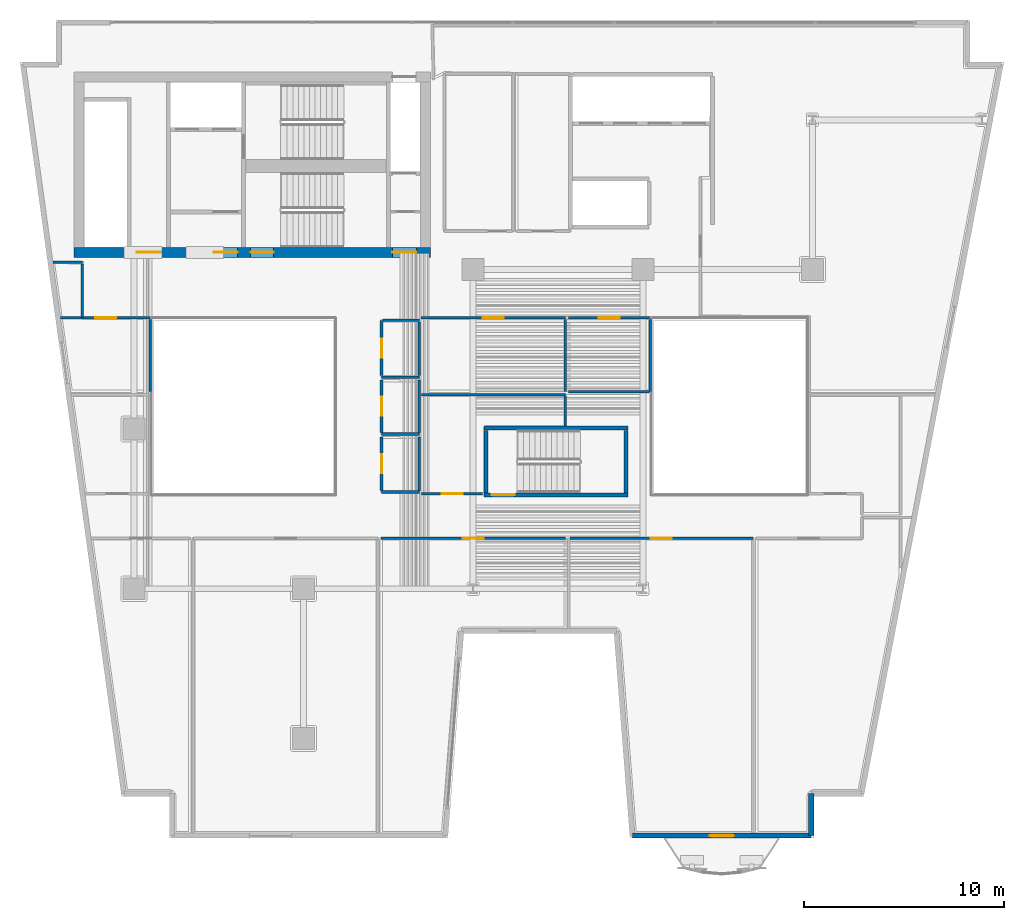
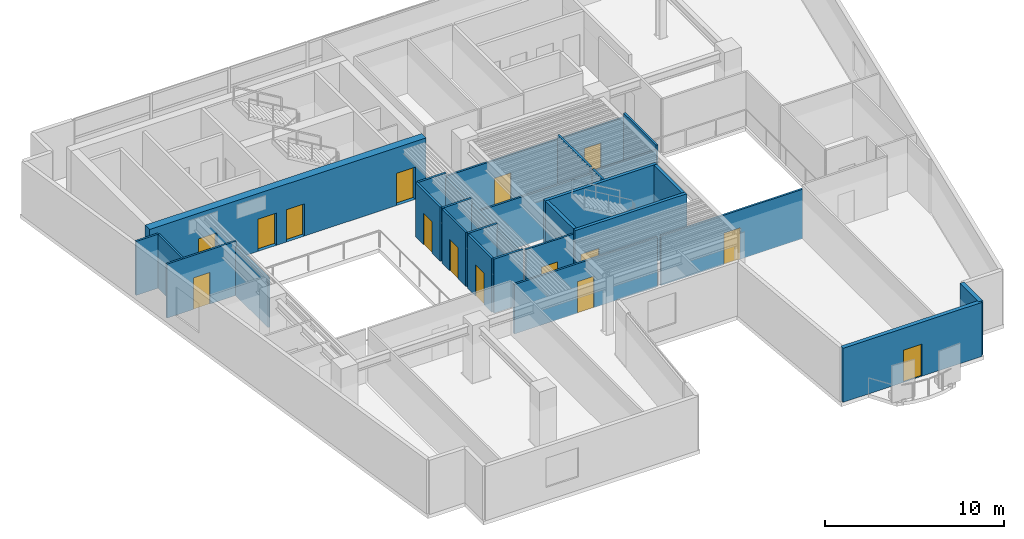
# One storey, part 6 of 13: 31 walls, 15 doors, 15 openings.
"""IFC4 building model written with IfcOpenShell, lengths in metres."""

from ifc_helpers import new_model, si_unit, direction, frame, frame_2d, origin, place, context, subcontext, project, spatial, rectangle, extrude, material, layer, layer_set, type_object, element, fill, save


model = new_model("IFC4")

# Units and contexts
model_context = context("Model", 3, precision=1e-05, world=origin(), true_north=direction((0.0, 1.0)))
body_context = subcontext(model_context, "Body", "Model", "MODEL_VIEW")
ifc_project = project(units=[si_unit("LENGTHUNIT", "METRE"), si_unit("AREAUNIT", "SQUARE_METRE"), si_unit("VOLUMEUNIT", "CUBIC_METRE"), si_unit("PLANEANGLEUNIT", "RADIAN"), si_unit("MASSUNIT", "GRAM", prefix="KILO")], contexts=[model_context])

# Site, building, storey
site_placement = place(None, origin())
site = spatial("IfcSite", under=ifc_project, at=site_placement, CompositionType="ELEMENT")
building_placement = place(site_placement, origin())
building = spatial("IfcBuilding", under=site, at=building_placement, Name="Caeloran Harvest Quay", CompositionType="ELEMENT")
storey_placement = place(building_placement, frame((0.0, 0.0, 162.75)))
storey = spatial("IfcBuildingStorey", under=building, at=storey_placement, Name="L38", CompositionType="ELEMENT", Elevation=162.75)

# Wall
ifc_material_1 = material(Name="Precast concrete C50/60", Category="concrete")
ifc_layer_1 = layer(ifc_material_1, 0.260009765625, Name="Precast concrete C50/60")
ifc_layer_set_1 = layer_set([ifc_layer_1], Name="Precast concrete C50/60")
wall_type_1 = type_object("IfcWallType", Name="ENV-WALL-EW-260", PredefinedType="STANDARD", material=ifc_layer_set_1)
wall_1_placement = place(storey_placement, frame((42.43994140625, 4.72998046875, 0.0), z_axis=(0.0, 0.0, 1.0), x_axis=(0.0, -1.0, 0.0)))
element("IfcWall", 1, at=wall_1_placement, inside=storey, type_object=wall_type_1, Name="L38 Exterior Precast Concrete Facade Wall 11", PredefinedType="STANDARD", context=body_context, shape_type="SweptSolid", body=[
    extrude(rectangle(XDim=2.10009765625, YDim=0.260009765625, at=frame_2d((1.050048828125, 0.0))), origin(), (0.0, 0.0, 1.0), 3.68994140625),
])

# Wall, opening, door
wall_2_placement = place(storey_placement, frame((42.43994140625, 2.6298828125, 0.0), z_axis=(0.0, 0.0, 1.0), x_axis=(-1.0, 0.0, 0.0)))
wall_2 = element("IfcWall", 2, at=wall_2_placement, inside=storey, type_object=wall_type_1, Name="L38 Exterior Precast Concrete Facade Wall 12", PredefinedType="STANDARD", context=body_context, shape_type="SweptSolid", body=[
    extrude(rectangle(XDim=8.96484375, YDim=0.260009765625, at=frame_2d((4.482421875, 0.0))), origin(), (0.0, 0.0, 1.0), 3.68994140625),
])
opening_1_placement = place(wall_2_placement, frame((3.882080078125, 0.0, 0.0)))
opening_1 = element("IfcOpeningElement", 3, at=opening_1_placement, cuts=wall_2, Name="Opening BD-01", PredefinedType="OPENING", context=body_context, shape_type="SweptSolid", body=[
    extrude(rectangle(XDim=1.199951171875, YDim=2.199951171875, at=frame_2d((0.60009765625, 1.10009765625))), frame((0.0, 0.14013671875, 0.0), z_axis=(0.0, -1.0, 0.0), x_axis=(1.0, 0.0, 0.0)), (0.0, 0.0, 1.0), 0.280029296875),
])
ifc_material_2 = material(Name="Thermally Broken Powder-Coated Aluminium and Safety Glass", Category="aluminium")
door_type_1 = type_object("IfcDoorType", Name="EXTDOOR-BD-01", OperationType="NOTDEFINED", PredefinedType="DOOR", material=ifc_material_2)
door_1_placement = place(opening_1_placement, origin())
door_1 = element("IfcDoor", 4, at=door_1_placement, inside=storey, type_object=door_type_1, Name="L38 Planted Balcony Glazed Access Door", OperationType="SINGLE_SWING_LEFT", OverallHeight=2.199951171875, OverallWidth=1.199951171875, PredefinedType="DOOR", context=body_context, shape_type="SweptSolid", body=[
    extrude(rectangle(XDim=1.199951171875, YDim=2.199951171875, at=frame_2d((0.60009765625, 1.10009765625))), frame((0.0, 0.02490234375, 0.0), z_axis=(0.0, -1.0, 0.0), x_axis=(1.0, 0.0, 0.0)), (0.0, 0.0, 1.0), 0.050048828125),
])
fill(opening_1, door_1)

ifc_material_3 = material(Name="Twin-Stud Mineral-Wool Acoustic Gypsum Partition", Category="gypsum")
ifc_layer_2 = layer(ifc_material_3, 0.125, Name="Twin-Stud Mineral-Wool Acoustic Gypsum Partition")
ifc_layer_set_2 = layer_set([ifc_layer_2], Name="Twin-Stud Mineral-Wool Acoustic Gypsum Partition")
wall_type_2 = type_object("IfcWallType", Name="INT-WALL-PW-125", PredefinedType="PARTITIONING", material=ifc_layer_set_2)
wall_3_placement = place(storey_placement, frame((30.347412109375, 17.52001953125, 0.0), z_axis=(0.0, 0.0, 1.0), x_axis=(1.0, 0.0, 0.0)))
wall_3 = element("IfcWall", 5, at=wall_3_placement, inside=storey, type_object=wall_type_2, Name="Carbon Credit Seminar Room Partition Wall", PredefinedType="PARTITIONING", context=body_context, shape_type="SweptSolid", body=[
    extrude(rectangle(XDim=9.172607421875, YDim=0.125, at=frame_2d((4.58642578125, 0.0))), origin(), (0.0, 0.0, 1.0), 3.375),
])
opening_2_placement = place(wall_3_placement, frame((4.061279296875, 0.0, 0.0)))
opening_2 = element("IfcOpeningElement", 6, at=opening_2_placement, cuts=wall_3, Name="Opening ID-03", PredefinedType="OPENING", context=body_context, shape_type="SweptSolid", body=[
    extrude(rectangle(XDim=1.050048828125, YDim=2.14990234375, at=frame_2d((0.52490234375, 1.074951171875))), frame((0.0, 0.072509765625, 0.0), z_axis=(0.0, -1.0, 0.0), x_axis=(1.0, 0.0, 0.0)), (0.0, 0.0, 1.0), 0.14501953125),
])
ifc_material_4 = material(Name="FSC Solid-Core Oak Timber Leaf", Category="wood")
door_type_2 = type_object("IfcDoorType", Name="INTDOOR-ID-03", OperationType="NOTDEFINED", PredefinedType="DOOR", material=ifc_material_4)
door_2_placement = place(opening_2_placement, origin())
door_2 = element("IfcDoor", 7, at=door_2_placement, inside=storey, type_object=door_type_2, Name="Carbon Credit Seminar Room Access Door", OperationType="SINGLE_SWING_RIGHT", OverallHeight=2.14990234375, OverallWidth=1.050048828125, PredefinedType="DOOR", context=body_context, shape_type="SweptSolid", body=[
    extrude(rectangle(XDim=1.050048828125, YDim=2.14990234375, at=frame_2d((0.52490234375, 1.074951171875))), frame((0.0, 0.02490234375, 0.0), z_axis=(0.0, -1.0, 0.0), x_axis=(1.0, 0.0, 0.0)), (0.0, 0.0, 1.0), 0.050048828125),
])
fill(opening_2, door_2)

wall_4_placement = place(storey_placement, frame((20.8798828125, 17.52001953125, 0.0), z_axis=(0.0, 0.0, 1.0), x_axis=(1.0, 0.0, 0.0)))
wall_4 = element("IfcWall", 8, at=wall_4_placement, inside=storey, type_object=wall_type_2, Name="Hospitality Catering Kitchen Partition Wall", PredefinedType="PARTITIONING", context=body_context, shape_type="SweptSolid", body=[
    extrude(rectangle(XDim=9.240234375, YDim=0.125, at=frame_2d((4.6201171875, 0.0))), origin(), (0.0, 0.0, 1.0), 3.375),
])
opening_3_placement = place(wall_4_placement, frame((4.094970703125, 0.0, 0.0)))
opening_3 = element("IfcOpeningElement", 9, at=opening_3_placement, cuts=wall_4, Name="Opening ID-03", PredefinedType="OPENING", context=body_context, shape_type="SweptSolid", body=[
    extrude(rectangle(XDim=1.050048828125, YDim=2.14990234375, at=frame_2d((0.52490234375, 1.074951171875))), frame((0.0, 0.072509765625, 0.0), z_axis=(0.0, -1.0, 0.0), x_axis=(1.0, 0.0, 0.0)), (0.0, 0.0, 1.0), 0.14501953125),
])
door_3_placement = place(opening_3_placement, origin())
door_3 = element("IfcDoor", 10, at=door_3_placement, inside=storey, type_object=door_type_2, Name="Hospitality Catering Kitchen Access Door", OperationType="SINGLE_SWING_LEFT", OverallHeight=2.14990234375, OverallWidth=1.050048828125, PredefinedType="DOOR", context=body_context, shape_type="SweptSolid", body=[
    extrude(rectangle(XDim=1.050048828125, YDim=2.14990234375, at=frame_2d((0.52490234375, 1.074951171875))), frame((0.0, 0.02490234375, 0.0), z_axis=(0.0, -1.0, 0.0), x_axis=(1.0, 0.0, 0.0)), (0.0, 0.0, 1.0), 0.050048828125),
])
fill(opening_3, door_3)

wall_5_placement = place(storey_placement, frame((25.9755859375, 19.75, 0.0), z_axis=(0.0, 0.0, 1.0), x_axis=(-1.0, 0.0, 0.0)))
wall_5 = element("IfcWall", 11, at=wall_5_placement, inside=storey, type_object=wall_type_2, Name="Agro-Finance Summit Conference Hall 8 Partition Wall", PredefinedType="PARTITIONING", context=body_context, shape_type="SweptSolid", body=[
    extrude(rectangle(XDim=3.065673828125, YDim=0.125, at=frame_2d((1.53271484375, 0.0))), origin(), (0.0, 0.0, 1.0), 3.68994140625),
])
opening_4_placement = place(wall_5_placement, frame((1.0078125, 0.0, 0.0)))
opening_4 = element("IfcOpeningElement", 12, at=opening_4_placement, cuts=wall_5, Name="Opening ID-03", PredefinedType="OPENING", context=body_context, shape_type="SweptSolid", body=[
    extrude(rectangle(XDim=1.050048828125, YDim=2.14990234375, at=frame_2d((0.52490234375, 1.074951171875))), frame((0.0, 0.072509765625, 0.0), z_axis=(0.0, -1.0, 0.0), x_axis=(1.0, 0.0, 0.0)), (0.0, 0.0, 1.0), 0.14501953125),
])
door_4_placement = place(opening_4_placement, origin())
door_4 = element("IfcDoor", 13, at=door_4_placement, inside=storey, type_object=door_type_2, Name="Agro-Finance Summit Conference Hall 8 Access Door", OperationType="SINGLE_SWING_RIGHT", OverallHeight=2.14990234375, OverallWidth=1.050048828125, PredefinedType="DOOR", context=body_context, shape_type="SweptSolid", body=[
    extrude(rectangle(XDim=1.050048828125, YDim=2.14990234375, at=frame_2d((0.52490234375, 1.074951171875))), frame((0.0, 0.02490234375, 0.0), z_axis=(0.0, -1.0, 0.0), x_axis=(1.0, 0.0, 0.0)), (0.0, 0.0, 1.0), 0.050048828125),
])
fill(opening_4, door_4)

# Walls
wall_6_placement = place(storey_placement, frame((22.909912109375, 24.719970703125, 0.0), z_axis=(0.0, 0.0, 1.0), x_axis=(1.0, 0.0, 0.0)))
element("IfcWall", 14, at=wall_6_placement, inside=storey, type_object=wall_type_2, Name="Agro-Finance Summit Conference Hall 8 Partition Wall", PredefinedType="PARTITIONING", context=body_context, shape_type="SweptSolid", body=[
    extrude(rectangle(XDim=7.210205078125, YDim=0.125, at=frame_2d((3.60498046875, 0.0))), origin(), (0.0, 0.0, 1.0), 3.375),
])
wall_7_placement = place(storey_placement, frame((30.1201171875, 24.652587890625, 0.0), z_axis=(0.0, 0.0, 1.0), x_axis=(0.0, -1.0, 0.0)))
element("IfcWall", 15, at=wall_7_placement, inside=storey, type_object=wall_type_2, Name="Agro-Finance Summit Conference Hall 8 Partition Wall", PredefinedType="PARTITIONING", context=body_context, shape_type="SweptSolid", body=[
    extrude(rectangle(XDim=1.49755859375, YDim=0.125, at=frame_2d((0.748779296875, 0.0))), origin(), (0.0, 0.0, 1.0), 3.68994140625),
])

# Wall, opening, door
wall_8_placement = place(storey_placement, frame((22.889892578125, 28.570068359375, 0.0), z_axis=(0.0, 0.0, 1.0), x_axis=(1.0, 0.0, 0.0)))
wall_8 = element("IfcWall", 16, at=wall_8_placement, inside=storey, type_object=wall_type_2, Name="Carbon Credit Seminar Room 9 Partition Wall", PredefinedType="PARTITIONING", context=body_context, shape_type="SweptSolid", body=[
    extrude(rectangle(XDim=7.230224609375, YDim=0.125, at=frame_2d((3.615234375, 0.0))), origin(), (0.0, 0.0, 1.0), 3.375),
])
opening_5_placement = place(wall_8_placement, frame((3.090087890625, 0.0, 0.0)))
opening_5 = element("IfcOpeningElement", 17, at=opening_5_placement, cuts=wall_8, Name="Opening ID-03", PredefinedType="OPENING", context=body_context, shape_type="SweptSolid", body=[
    extrude(rectangle(XDim=1.050048828125, YDim=2.14990234375, at=frame_2d((0.52490234375, 1.074951171875))), frame((0.0, 0.072509765625, 0.0), z_axis=(0.0, -1.0, 0.0), x_axis=(1.0, 0.0, 0.0)), (0.0, 0.0, 1.0), 0.14501953125),
])
door_5_placement = place(opening_5_placement, origin())
door_5 = element("IfcDoor", 18, at=door_5_placement, inside=storey, type_object=door_type_2, Name="Carbon Credit Seminar Room 9 Access Door", OperationType="SINGLE_SWING_LEFT", OverallHeight=2.14990234375, OverallWidth=1.050048828125, PredefinedType="DOOR", context=body_context, shape_type="SweptSolid", body=[
    extrude(rectangle(XDim=1.050048828125, YDim=2.14990234375, at=frame_2d((0.52490234375, 1.074951171875))), frame((0.0, 0.02490234375, 0.0), z_axis=(0.0, -1.0, 0.0), x_axis=(1.0, 0.0, 0.0)), (0.0, 0.0, 1.0), 0.050048828125),
])
fill(opening_5, door_5)

# Wall
wall_9_placement = place(storey_placement, frame((30.1201171875, 28.50244140625, 0.0), z_axis=(0.0, 0.0, 1.0), x_axis=(0.0, -1.0, 0.0)))
element("IfcWall", 19, at=wall_9_placement, inside=storey, type_object=wall_type_2, Name="Carbon Credit Seminar Room 9 Partition Wall", PredefinedType="PARTITIONING", context=body_context, shape_type="SweptSolid", body=[
    extrude(rectangle(XDim=3.62255859375, YDim=0.125, at=frame_2d((1.811279296875, 0.0))), origin(), (0.0, 0.0, 1.0), 3.68994140625),
])

# Wall, opening, door
wall_10_placement = place(storey_placement, frame((30.280029296875, 28.570068359375, 0.0), z_axis=(0.0, 0.0, 1.0), x_axis=(1.0, 0.0, 0.0)))
wall_10 = element("IfcWall", 20, at=wall_10_placement, inside=storey, type_object=wall_type_2, Name="Commodities Briefing Boardroom 10 Partition Wall", PredefinedType="PARTITIONING", context=body_context, shape_type="SweptSolid", body=[
    extrude(rectangle(XDim=4.090087890625, YDim=0.125, at=frame_2d((2.044921875, 0.0))), origin(), (0.0, 0.0, 1.0), 3.375),
])
opening_6_placement = place(wall_10_placement, frame((1.52001953125, 0.0, 0.0)))
opening_6 = element("IfcOpeningElement", 21, at=opening_6_placement, cuts=wall_10, Name="Opening ID-03", PredefinedType="OPENING", context=body_context, shape_type="SweptSolid", body=[
    extrude(rectangle(XDim=1.050048828125, YDim=2.14990234375, at=frame_2d((0.52490234375, 1.074951171875))), frame((0.0, 0.072509765625, 0.0), z_axis=(0.0, -1.0, 0.0), x_axis=(1.0, 0.0, 0.0)), (0.0, 0.0, 1.0), 0.14501953125),
])
door_6_placement = place(opening_6_placement, origin())
door_6 = element("IfcDoor", 22, at=door_6_placement, inside=storey, type_object=door_type_2, Name="Commodities Briefing Boardroom 10 Access Door", OperationType="SINGLE_SWING_RIGHT", OverallHeight=2.14990234375, OverallWidth=1.050048828125, PredefinedType="DOOR", context=body_context, shape_type="SweptSolid", body=[
    extrude(rectangle(XDim=1.050048828125, YDim=2.14990234375, at=frame_2d((0.52490234375, 1.074951171875))), frame((0.0, 0.02490234375, 0.0), z_axis=(0.0, -1.0, 0.0), x_axis=(1.0, 0.0, 0.0)), (0.0, 0.0, 1.0), 0.050048828125),
])
fill(opening_6, door_6)

# Walls
wall_11_placement = place(storey_placement, frame((34.3701171875, 28.50244140625, 0.0), z_axis=(0.0, 0.0, 1.0), x_axis=(0.0, -1.0, 0.0)))
element("IfcWall", 23, at=wall_11_placement, inside=storey, type_object=wall_type_2, Name="Commodities Briefing Boardroom 10 Partition Wall", PredefinedType="PARTITIONING", context=body_context, shape_type="SweptSolid", body=[
    extrude(rectangle(XDim=3.62255859375, YDim=0.125, at=frame_2d((1.811279296875, 0.0))), origin(), (0.0, 0.0, 1.0), 3.68994140625),
])
wall_12_placement = place(storey_placement, frame((34.302490234375, 24.8798828125, 0.0), z_axis=(0.0, 0.0, 1.0), x_axis=(-1.0, 0.0, 0.0)))
element("IfcWall", 24, at=wall_12_placement, inside=storey, type_object=wall_type_2, Name="Commodities Briefing Boardroom 10 Partition Wall", PredefinedType="PARTITIONING", context=body_context, shape_type="SweptSolid", body=[
    extrude(rectangle(XDim=4.0224609375, YDim=0.125, at=frame_2d((2.01123046875, 0.0))), origin(), (0.0, 0.0, 1.0), 3.375),
])
wall_13_placement = place(storey_placement, frame((4.44775390625, 31.35009765625, 0.0), z_axis=(0.0, 0.0, 1.0), x_axis=(1.0, 0.0, 0.0)))
element("IfcWall", 25, at=wall_13_placement, inside=storey, type_object=wall_type_2, Name="Investor Espresso Kitchen 11 Partition Wall", PredefinedType="PARTITIONING", context=body_context, shape_type="SweptSolid", body=[
    extrude(rectangle(XDim=1.47216796875, YDim=0.125, at=frame_2d((0.736083984375, 0.0))), origin(), (0.0, 0.0, 1.0), 3.68994140625),
])
wall_14_placement = place(storey_placement, frame((5.919921875, 31.282470703125, 0.0), z_axis=(0.0, 0.0, 1.0), x_axis=(0.0, -1.0, 0.0)))
element("IfcWall", 26, at=wall_14_placement, inside=storey, type_object=wall_type_2, Name="Investor Espresso Kitchen 11 Partition Wall", PredefinedType="PARTITIONING", context=body_context, shape_type="SweptSolid", body=[
    extrude(rectangle(XDim=2.682373046875, YDim=0.125, at=frame_2d((1.34130859375, 0.0))), origin(), (0.0, 0.0, 1.0), 3.68994140625),
])

# Wall, opening, door
wall_15_placement = place(storey_placement, frame((4.832275390625, 28.570068359375, 0.0), z_axis=(0.0, 0.0, 1.0), x_axis=(1.0, 0.0, 0.0)))
wall_15 = element("IfcWall", 27, at=wall_15_placement, inside=storey, type_object=wall_type_2, Name="Investor Espresso Kitchen 11 Partition Wall", PredefinedType="PARTITIONING", context=body_context, shape_type="SweptSolid", body=[
    extrude(rectangle(XDim=4.48779296875, YDim=0.125, at=frame_2d((2.243896484375, 0.0))), origin(), (0.0, 0.0, 1.0), 3.68994140625),
])
opening_7_placement = place(wall_15_placement, frame((1.718994140625, 0.0, 0.0)))
opening_7 = element("IfcOpeningElement", 28, at=opening_7_placement, cuts=wall_15, Name="Opening ID-03", PredefinedType="OPENING", context=body_context, shape_type="SweptSolid", body=[
    extrude(rectangle(XDim=1.050048828125, YDim=2.14990234375, at=frame_2d((0.52490234375, 1.074951171875))), frame((0.0, 0.072509765625, 0.0), z_axis=(0.0, -1.0, 0.0), x_axis=(1.0, 0.0, 0.0)), (0.0, 0.0, 1.0), 0.14501953125),
])
door_7_placement = place(opening_7_placement, origin())
door_7 = element("IfcDoor", 29, at=door_7_placement, inside=storey, type_object=door_type_2, Name="Investor Espresso Kitchen 11 Access Door", OperationType="SINGLE_SWING_LEFT", OverallHeight=2.14990234375, OverallWidth=1.050048828125, PredefinedType="DOOR", context=body_context, shape_type="SweptSolid", body=[
    extrude(rectangle(XDim=1.050048828125, YDim=2.14990234375, at=frame_2d((0.52490234375, 1.074951171875))), frame((0.0, 0.02490234375, 0.0), z_axis=(0.0, -1.0, 0.0), x_axis=(1.0, 0.0, 0.0)), (0.0, 0.0, 1.0), 0.050048828125),
])
fill(opening_7, door_7)

# Walls
wall_16_placement = place(storey_placement, frame((9.320068359375, 28.50244140625, 0.0), z_axis=(0.0, 0.0, 1.0), x_axis=(0.0, -1.0, 0.0)))
element("IfcWall", 30, at=wall_16_placement, inside=storey, type_object=wall_type_2, Name="Investor Espresso Kitchen 11 Partition Wall", PredefinedType="PARTITIONING", context=body_context, shape_type="SweptSolid", body=[
    extrude(rectangle(XDim=3.62255859375, YDim=0.125, at=frame_2d((1.811279296875, 0.0))), origin(), (0.0, 0.0, 1.0), 3.375),
])
ifc_material_5 = material(Name="Moisture-Resistant Cement-Board Sanitary Partition", Category="gypsum")
ifc_layer_3 = layer(ifc_material_5, 0.139892578125, Name="Moisture-Resistant Cement-Board Sanitary Partition")
ifc_layer_set_3 = layer_set([ifc_layer_3], Name="Moisture-Resistant Cement-Board Sanitary Partition")
wall_type_3 = type_object("IfcWallType", Name="INT-WALL-PW-140", PredefinedType="PARTITIONING", material=ifc_layer_set_3)
wall_17_placement = place(storey_placement, frame((22.800048828125, 25.60009765625, 0.0), z_axis=(0.0, 0.0, 1.0), x_axis=(-1.0, 0.0, 0.0)))
element("IfcWall", 31, at=wall_17_placement, inside=storey, type_object=wall_type_3, Name="L38 Male Washroom WC Partition Wall", PredefinedType="PARTITIONING", context=body_context, shape_type="SweptSolid", body=[
    extrude(rectangle(XDim=1.89013671875, YDim=0.139892578125, at=frame_2d((0.945068359375, 0.0))), origin(), (0.0, 0.0, 1.0), 3.68994140625),
])

# Wall, opening, door
wall_18_placement = place(storey_placement, frame((20.909912109375, 25.675048828125, 0.0), z_axis=(0.0, 0.0, 1.0), x_axis=(0.0, 1.0, 0.0)))
wall_18 = element("IfcWall", 32, at=wall_18_placement, inside=storey, type_object=wall_type_3, Name="L38 Male Washroom WC Partition Wall", PredefinedType="PARTITIONING", context=body_context, shape_type="SweptSolid", body=[
    extrude(rectangle(XDim=2.77490234375, YDim=0.139892578125, at=frame_2d((1.387451171875, 0.0))), origin(), (0.0, 0.0, 1.0), 3.68994140625),
])
opening_8_placement = place(wall_18_placement, frame((0.91259765625, 0.0, 0.0)))
opening_8 = element("IfcOpeningElement", 33, at=opening_8_placement, cuts=wall_18, Name="Opening WC-01", PredefinedType="OPENING", context=body_context, shape_type="SweptSolid", body=[
    extrude(rectangle(XDim=0.949951171875, YDim=2.14990234375, at=frame_2d((0.47509765625, 1.074951171875))), frame((0.0, 0.080078125, 0.0), z_axis=(0.0, -1.0, 0.0), x_axis=(1.0, 0.0, 0.0)), (0.0, 0.0, 1.0), 0.159912109375),
])
ifc_material_6 = material(Name="High-Pressure Laminate Moisture-Resistant Timber", Category="wood")
door_type_3 = type_object("IfcDoorType", Name="INTDOOR-WC-01", OperationType="NOTDEFINED", PredefinedType="DOOR", material=ifc_material_6)
door_8_placement = place(opening_8_placement, origin())
door_8 = element("IfcDoor", 34, at=door_8_placement, inside=storey, type_object=door_type_3, Name="L38 Male Washroom WC Access Door", OperationType="SINGLE_SWING_RIGHT", OverallHeight=2.14990234375, OverallWidth=0.949951171875, PredefinedType="DOOR", context=body_context, shape_type="SweptSolid", body=[
    extrude(rectangle(XDim=0.949951171875, YDim=2.14990234375, at=frame_2d((0.47509765625, 1.074951171875))), frame((0.0, 0.02490234375, 0.0), z_axis=(0.0, -1.0, 0.0), x_axis=(1.0, 0.0, 0.0)), (0.0, 0.0, 1.0), 0.050048828125),
])
fill(opening_8, door_8)

# Walls
wall_19_placement = place(storey_placement, frame((20.985107421875, 28.449951171875, 0.0), z_axis=(0.0, 0.0, 1.0), x_axis=(1.0, 0.0, 0.0)))
element("IfcWall", 35, at=wall_19_placement, inside=storey, type_object=wall_type_3, Name="L38 Male Washroom WC Partition Wall", PredefinedType="PARTITIONING", context=body_context, shape_type="SweptSolid", body=[
    extrude(rectangle(XDim=1.81494140625, YDim=0.139892578125, at=frame_2d((0.907470703125, 0.0))), origin(), (0.0, 0.0, 1.0), 3.68994140625),
])
wall_20_placement = place(storey_placement, frame((22.800048828125, 28.375, 0.0), z_axis=(0.0, 0.0, 1.0), x_axis=(0.0, -1.0, 0.0)))
element("IfcWall", 36, at=wall_20_placement, inside=storey, type_object=wall_type_3, Name="L38 Male Washroom WC Partition Wall", PredefinedType="PARTITIONING", context=body_context, shape_type="SweptSolid", body=[
    extrude(rectangle(XDim=2.699951171875, YDim=0.139892578125, at=frame_2d((1.35009765625, 0.0))), origin(), (0.0, 0.0, 1.0), 3.375),
])
wall_21_placement = place(storey_placement, frame((22.800048828125, 22.75, 0.0), z_axis=(0.0, 0.0, 1.0), x_axis=(-1.0, 0.0, 0.0)))
element("IfcWall", 37, at=wall_21_placement, inside=storey, type_object=wall_type_3, Name="L38 Female Washroom WC Partition Wall", PredefinedType="PARTITIONING", context=body_context, shape_type="SweptSolid", body=[
    extrude(rectangle(XDim=1.89013671875, YDim=0.139892578125, at=frame_2d((0.945068359375, 0.0))), origin(), (0.0, 0.0, 1.0), 3.68994140625),
])

# Wall, opening, door
wall_22_placement = place(storey_placement, frame((20.909912109375, 22.824951171875, 0.0), z_axis=(0.0, 0.0, 1.0), x_axis=(0.0, 1.0, 0.0)))
wall_22 = element("IfcWall", 38, at=wall_22_placement, inside=storey, type_object=wall_type_3, Name="L38 Female Washroom WC Partition Wall", PredefinedType="PARTITIONING", context=body_context, shape_type="SweptSolid", body=[
    extrude(rectangle(XDim=2.625, YDim=0.139892578125, at=frame_2d((1.3125, 0.0))), origin(), (0.0, 0.0, 1.0), 3.68994140625),
])
opening_9_placement = place(wall_22_placement, frame((0.83740234375, 0.0, 0.0)))
opening_9 = element("IfcOpeningElement", 39, at=opening_9_placement, cuts=wall_22, Name="Opening WC-01", PredefinedType="OPENING", context=body_context, shape_type="SweptSolid", body=[
    extrude(rectangle(XDim=0.949951171875, YDim=2.14990234375, at=frame_2d((0.47509765625, 1.074951171875))), frame((0.0, 0.080078125, 0.0), z_axis=(0.0, -1.0, 0.0), x_axis=(1.0, 0.0, 0.0)), (0.0, 0.0, 1.0), 0.159912109375),
])
door_9_placement = place(opening_9_placement, origin())
door_9 = element("IfcDoor", 40, at=door_9_placement, inside=storey, type_object=door_type_3, Name="L38 Female Washroom WC Access Door", OperationType="SINGLE_SWING_LEFT", OverallHeight=2.14990234375, OverallWidth=0.949951171875, PredefinedType="DOOR", context=body_context, shape_type="SweptSolid", body=[
    extrude(rectangle(XDim=0.949951171875, YDim=2.14990234375, at=frame_2d((0.47509765625, 1.074951171875))), frame((0.0, 0.02490234375, 0.0), z_axis=(0.0, -1.0, 0.0), x_axis=(1.0, 0.0, 0.0)), (0.0, 0.0, 1.0), 0.050048828125),
])
fill(opening_9, door_9)

# Walls
wall_23_placement = place(storey_placement, frame((22.800048828125, 25.449951171875, 0.0), z_axis=(0.0, 0.0, 1.0), x_axis=(0.0, -1.0, 0.0)))
element("IfcWall", 41, at=wall_23_placement, inside=storey, type_object=wall_type_3, Name="L38 Female Washroom WC Partition Wall", PredefinedType="PARTITIONING", context=body_context, shape_type="SweptSolid", body=[
    extrude(rectangle(XDim=2.625, YDim=0.139892578125, at=frame_2d((1.3125, 0.0))), origin(), (0.0, 0.0, 1.0), 3.375),
])
wall_24_placement = place(storey_placement, frame((22.800048828125, 19.85009765625, 0.0), z_axis=(0.0, 0.0, 1.0), x_axis=(-1.0, 0.0, 0.0)))
element("IfcWall", 42, at=wall_24_placement, inside=storey, type_object=wall_type_3, Name="L38 Accessible Unisex Washroom WC Partition Wall", PredefinedType="PARTITIONING", context=body_context, shape_type="SweptSolid", body=[
    extrude(rectangle(XDim=1.89013671875, YDim=0.139892578125, at=frame_2d((0.945068359375, 0.0))), origin(), (0.0, 0.0, 1.0), 3.68994140625),
])

# Wall, opening, door
wall_25_placement = place(storey_placement, frame((20.909912109375, 19.925048828125, 0.0), z_axis=(0.0, 0.0, 1.0), x_axis=(0.0, 1.0, 0.0)))
wall_25 = element("IfcWall", 43, at=wall_25_placement, inside=storey, type_object=wall_type_3, Name="L38 Accessible Unisex Washroom WC Partition Wall", PredefinedType="PARTITIONING", context=body_context, shape_type="SweptSolid", body=[
    extrude(rectangle(XDim=2.675048828125, YDim=0.139892578125, at=frame_2d((1.33740234375, 0.0))), origin(), (0.0, 0.0, 1.0), 3.68994140625),
])
opening_10_placement = place(wall_25_placement, frame((0.862548828125, 0.0, 0.0)))
opening_10 = element("IfcOpeningElement", 44, at=opening_10_placement, cuts=wall_25, Name="Opening WC-01", PredefinedType="OPENING", context=body_context, shape_type="SweptSolid", body=[
    extrude(rectangle(XDim=0.949951171875, YDim=2.14990234375, at=frame_2d((0.47509765625, 1.074951171875))), frame((0.0, 0.080078125, 0.0), z_axis=(0.0, -1.0, 0.0), x_axis=(1.0, 0.0, 0.0)), (0.0, 0.0, 1.0), 0.159912109375),
])
door_10_placement = place(opening_10_placement, origin())
door_10 = element("IfcDoor", 45, at=door_10_placement, inside=storey, type_object=door_type_3, Name="L38 Accessible Unisex Washroom WC Access Door", OperationType="SINGLE_SWING_RIGHT", OverallHeight=2.14990234375, OverallWidth=0.949951171875, PredefinedType="DOOR", context=body_context, shape_type="SweptSolid", body=[
    extrude(rectangle(XDim=0.949951171875, YDim=2.14990234375, at=frame_2d((0.47509765625, 1.074951171875))), frame((0.0, 0.02490234375, 0.0), z_axis=(0.0, -1.0, 0.0), x_axis=(1.0, 0.0, 0.0)), (0.0, 0.0, 1.0), 0.050048828125),
])
fill(opening_10, door_10)

# Wall
wall_26_placement = place(storey_placement, frame((22.800048828125, 22.60009765625, 0.0), z_axis=(0.0, 0.0, 1.0), x_axis=(0.0, -1.0, 0.0)))
element("IfcWall", 46, at=wall_26_placement, inside=storey, type_object=wall_type_3, Name="L38 Accessible Unisex Washroom WC Partition Wall", PredefinedType="PARTITIONING", context=body_context, shape_type="SweptSolid", body=[
    extrude(rectangle(XDim=2.675048828125, YDim=0.139892578125, at=frame_2d((1.33740234375, 0.0))), origin(), (0.0, 0.0, 1.0), 3.375),
])

# Wall, openings, doors
ifc_material_7 = material(Name="Concrete C70/85", Category="concrete")
ifc_layer_4 = layer(ifc_material_7, 0.5, Name="Concrete C70/85")
ifc_layer_set_4 = layer_set([ifc_layer_4], Name="Concrete C70/85")
wall_type_4 = type_object("IfcWallType", Name="STR-WALL-CW-500", PredefinedType="SHEAR", material=ifc_layer_set_4)
wall_27_placement = place(storey_placement, frame((5.5, 31.85009765625, 0.0), z_axis=(0.0, 0.0, 1.0), x_axis=(1.0, 0.0, 0.0)))
wall_27 = element("IfcWall", 47, at=wall_27_placement, inside=storey, type_object=wall_type_4, Name="L38 Rear Core Shear Wall S", PredefinedType="SHEAR", context=body_context, shape_type="SweptSolid", body=[
    extrude(rectangle(XDim=17.85009765625, YDim=0.5, at=frame_2d((8.925048828125, 0.0))), origin(), (0.0, 0.0, 1.0), 3.949951171875),
])
opening_11_placement = place(wall_27_placement, frame((3.14990234375, 0.0, 0.0)))
opening_11 = element("IfcOpeningElement", 48, at=opening_11_placement, cuts=wall_27, Name="Opening FD-01", PredefinedType="OPENING", context=body_context, shape_type="SweptSolid", body=[
    extrude(rectangle(XDim=1.199951171875, YDim=2.199951171875, at=frame_2d((0.60009765625, 1.10009765625))), frame((0.0, 0.260009765625, 0.0), z_axis=(0.0, -1.0, 0.0), x_axis=(1.0, 0.0, 0.0)), (0.0, 0.0, 1.0), 0.52001953125),
])
opening_12_placement = place(wall_27_placement, frame((7.0, 0.0, 0.0)))
opening_12 = element("IfcOpeningElement", 49, at=opening_12_placement, cuts=wall_27, Name="Opening FD-01", PredefinedType="OPENING", context=body_context, shape_type="SweptSolid", body=[
    extrude(rectangle(XDim=1.199951171875, YDim=2.199951171875, at=frame_2d((0.60009765625, 1.10009765625))), frame((0.0, 0.260009765625, 0.0), z_axis=(0.0, -1.0, 0.0), x_axis=(1.0, 0.0, 0.0)), (0.0, 0.0, 1.0), 0.52001953125),
])
opening_13_placement = place(wall_27_placement, frame((8.85009765625, 0.0, 0.0)))
opening_13 = element("IfcOpeningElement", 50, at=opening_13_placement, cuts=wall_27, Name="Opening SD-01", PredefinedType="OPENING", context=body_context, shape_type="SweptSolid", body=[
    extrude(rectangle(XDim=1.14990234375, YDim=2.199951171875, at=frame_2d((0.574951171875, 1.10009765625))), frame((0.0, 0.260009765625, 0.0), z_axis=(0.0, -1.0, 0.0), x_axis=(1.0, 0.0, 0.0)), (0.0, 0.0, 1.0), 0.52001953125),
])
opening_14_placement = place(wall_27_placement, frame((15.949951171875, 0.0, 0.0)))
opening_14 = element("IfcOpeningElement", 51, at=opening_14_placement, cuts=wall_27, Name="Opening FD-01", PredefinedType="OPENING", context=body_context, shape_type="SweptSolid", body=[
    extrude(rectangle(XDim=1.199951171875, YDim=2.199951171875, at=frame_2d((0.60009765625, 1.10009765625))), frame((0.0, 0.260009765625, 0.0), z_axis=(0.0, -1.0, 0.0), x_axis=(1.0, 0.0, 0.0)), (0.0, 0.0, 1.0), 0.52001953125),
])
ifc_material_8 = material(Name="Steel", Category="steel")
door_type_4 = type_object("IfcDoorType", Name="INTDOOR-FD-01", OperationType="NOTDEFINED", PredefinedType="DOOR", material=ifc_material_8)
door_11_placement = place(opening_11_placement, origin())
door_11 = element("IfcDoor", 52, at=door_11_placement, inside=storey, type_object=door_type_4, Name="L38 High-Rise Lift Lobby Fire Door", OperationType="SINGLE_SWING_LEFT", OverallHeight=2.199951171875, OverallWidth=1.199951171875, PredefinedType="DOOR", context=body_context, shape_type="SweptSolid", body=[
    extrude(rectangle(XDim=1.199951171875, YDim=2.199951171875, at=frame_2d((0.60009765625, 1.10009765625))), frame((0.0, 0.02490234375, 0.0), z_axis=(0.0, -1.0, 0.0), x_axis=(1.0, 0.0, 0.0)), (0.0, 0.0, 1.0), 0.050048828125),
])
fill(opening_11, door_11)
door_12_placement = place(opening_12_placement, origin())
door_12 = element("IfcDoor", 53, at=door_12_placement, inside=storey, type_object=door_type_4, Name="L38 Firefighting Lobby Vestibule Fire Door", OperationType="SINGLE_SWING_RIGHT", OverallHeight=2.199951171875, OverallWidth=1.199951171875, PredefinedType="DOOR", context=body_context, shape_type="SweptSolid", body=[
    extrude(rectangle(XDim=1.199951171875, YDim=2.199951171875, at=frame_2d((0.60009765625, 1.10009765625))), frame((0.0, 0.02490234375, 0.0), z_axis=(0.0, -1.0, 0.0), x_axis=(1.0, 0.0, 0.0)), (0.0, 0.0, 1.0), 0.050048828125),
])
fill(opening_12, door_12)
door_13_placement = place(opening_14_placement, origin())
door_13 = element("IfcDoor", 54, at=door_13_placement, inside=storey, type_object=door_type_4, Name="L38 Service Lift Lobby Fire Door", OperationType="SINGLE_SWING_RIGHT", OverallHeight=2.199951171875, OverallWidth=1.199951171875, PredefinedType="DOOR", context=body_context, shape_type="SweptSolid", body=[
    extrude(rectangle(XDim=1.199951171875, YDim=2.199951171875, at=frame_2d((0.60009765625, 1.10009765625))), frame((0.0, 0.02490234375, 0.0), z_axis=(0.0, -1.0, 0.0), x_axis=(1.0, 0.0, 0.0)), (0.0, 0.0, 1.0), 0.050048828125),
])
fill(opening_14, door_13)
door_type_5 = type_object("IfcDoorType", Name="INTDOOR-SD-01", OperationType="NOTDEFINED", PredefinedType="DOOR", material=ifc_material_8)
door_14_placement = place(opening_13_placement, origin())
door_14 = element("IfcDoor", 55, at=door_14_placement, inside=storey, type_object=door_type_5, Name="L38 Protected Stair ST-C2 Exit Door", OperationType="SINGLE_SWING_LEFT", OverallHeight=2.199951171875, OverallWidth=1.14990234375, PredefinedType="DOOR", context=body_context, shape_type="SweptSolid", body=[
    extrude(rectangle(XDim=1.14990234375, YDim=2.199951171875, at=frame_2d((0.574951171875, 1.10009765625))), frame((0.0, 0.02490234375, 0.0), z_axis=(0.0, -1.0, 0.0), x_axis=(1.0, 0.0, 0.0)), (0.0, 0.0, 1.0), 0.050048828125),
])
fill(opening_13, door_14)

# Wall, opening, door
ifc_material_9 = material(Name="Concrete C60/75", Category="concrete")
ifc_layer_5 = layer(ifc_material_9, 0.199951171875, Name="Concrete C60/75")
ifc_layer_set_5 = layer_set([ifc_layer_5], Name="Concrete C60/75")
wall_type_5 = type_object("IfcWallType", Name="STR-WALL-SW-200", PredefinedType="SHEAR", material=ifc_layer_set_5)
wall_28_placement = place(storey_placement, frame((26.050048828125, 19.699951171875, 0.0), z_axis=(0.0, 0.0, 1.0), x_axis=(1.0, 0.0, 0.0)))
wall_28 = element("IfcWall", 56, at=wall_28_placement, inside=storey, type_object=wall_type_5, Name="L38 Stair ST-W1 S RC Shaft Shear Wall", PredefinedType="SHEAR", context=body_context, shape_type="SweptSolid", body=[
    extrude(rectangle(XDim=7.199951171875, YDim=0.199951171875, at=frame_2d((3.60009765625, 0.0))), origin(), (0.0, 0.0, 1.0), 3.949951171875),
])
opening_15_placement = place(wall_28_placement, frame((0.3798828125, 0.0, 0.0)))
opening_15 = element("IfcOpeningElement", 57, at=opening_15_placement, cuts=wall_28, Name="Opening SD-01", PredefinedType="OPENING", context=body_context, shape_type="SweptSolid", body=[
    extrude(rectangle(XDim=1.14990234375, YDim=2.199951171875, at=frame_2d((0.574951171875, 1.10009765625))), frame((0.0, 0.10986328125, 0.0), z_axis=(0.0, -1.0, 0.0), x_axis=(1.0, 0.0, 0.0)), (0.0, 0.0, 1.0), 0.219970703125),
])
door_15_placement = place(opening_15_placement, origin())
door_15 = element("IfcDoor", 58, at=door_15_placement, inside=storey, type_object=door_type_5, Name="L38 Protected Exit Stair ST-W1 Fire Door", OperationType="SINGLE_SWING_RIGHT", OverallHeight=2.199951171875, OverallWidth=1.14990234375, PredefinedType="DOOR", context=body_context, shape_type="SweptSolid", body=[
    extrude(rectangle(XDim=1.14990234375, YDim=2.199951171875, at=frame_2d((0.574951171875, 1.10009765625))), frame((0.0, 0.02490234375, 0.0), z_axis=(0.0, -1.0, 0.0), x_axis=(1.0, 0.0, 0.0)), (0.0, 0.0, 1.0), 0.050048828125),
])
fill(opening_15, door_15)

# Walls
wall_29_placement = place(storey_placement, frame((26.050048828125, 23.050048828125, 0.0), z_axis=(0.0, 0.0, 1.0), x_axis=(1.0, 0.0, 0.0)))
element("IfcWall", 59, at=wall_29_placement, inside=storey, type_object=wall_type_5, Name="L38 Stair ST-W1 N RC Shaft Shear Wall", PredefinedType="SHEAR", context=body_context, shape_type="SweptSolid", body=[
    extrude(rectangle(XDim=7.199951171875, YDim=0.199951171875, at=frame_2d((3.60009765625, 0.0))), origin(), (0.0, 0.0, 1.0), 3.949951171875),
])
for number, where, z_axis, x_axis, name in (
    (60, (26.14990234375, 19.81005859375, 0.0), (0.0, 0.0, 1.0), (0.0, 1.0, 0.0), "L38 Stair ST-W1 W RC Shaft Shear Wall"),
    (61, (33.14990234375, 19.81005859375, 0.0), (0.0, 0.0, 1.0), (0.0, 1.0, 0.0), "L38 Stair ST-W1 E RC Shaft Shear Wall"),
):
    element("IfcWall", number, at=place(storey_placement, frame(where, z_axis=z_axis, x_axis=x_axis)), inside=storey, type_object=wall_type_5, Name=name, PredefinedType="SHEAR", context=body_context, shape_type="SweptSolid", body=[
        extrude(rectangle(XDim=3.1298828125, YDim=0.199951171875, at=frame_2d((1.56494140625, 0.0))), origin(), (0.0, 0.0, 1.0), 3.949951171875),
    ])

save(model, "model.ifc")
